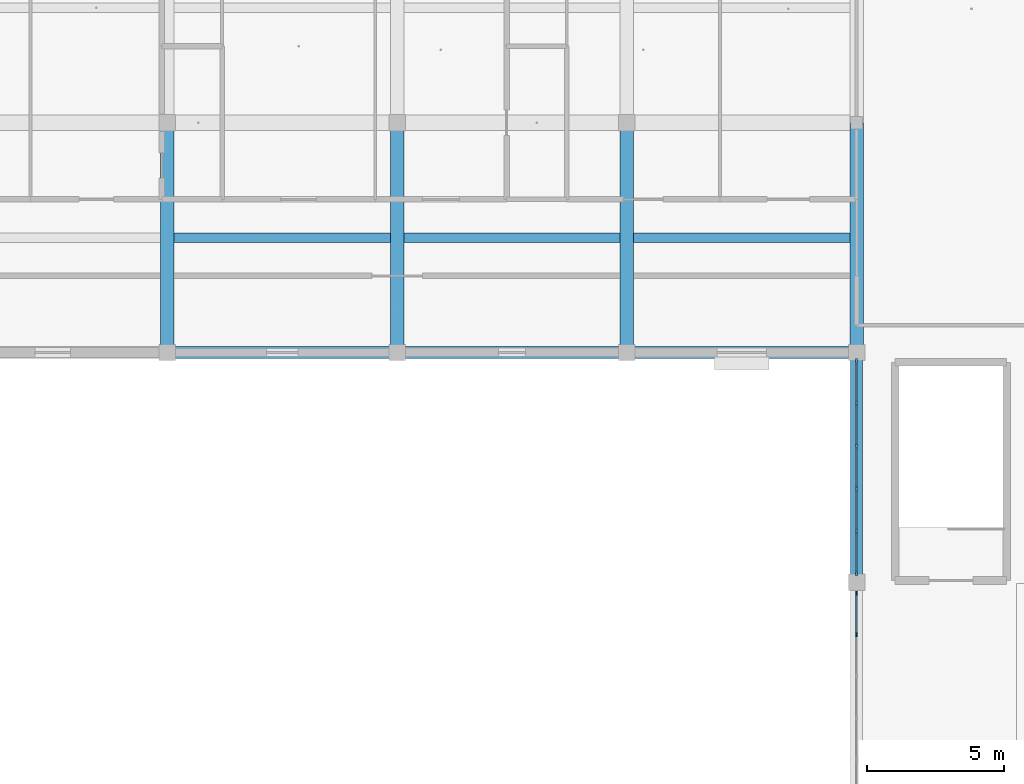
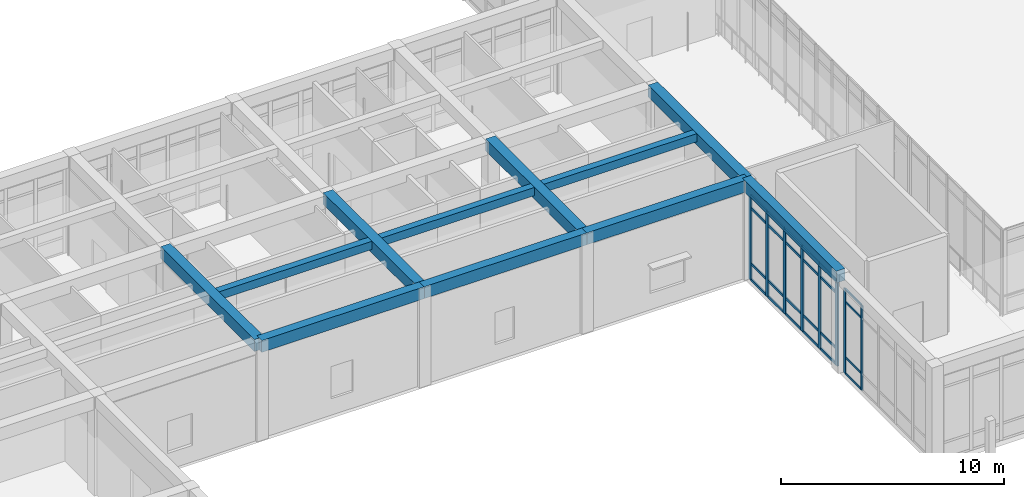
# One storey, part 9 of 157: 32 members, 11 beams, 2 elements without a shape of their own.
"""IFC4 building model written with IfcOpenShell, lengths in metres."""

from ifc_helpers import new_model, si_unit, direction, frame, origin, origin_2d, place, context, subcontext, project, spatial, rectangle, extrude, material, material_profile, profile_set, type_object, element, aggregate, save


model = new_model("IFC4")

# Units and contexts
model_context = context("Model", 3, precision=1e-05, world=origin(), true_north=direction((0.0, 1.0)))
body_context = subcontext(model_context, "Body", "Model", "MODEL_VIEW")
ifc_project = project(units=[si_unit("LENGTHUNIT", "METRE"), si_unit("AREAUNIT", "SQUARE_METRE"), si_unit("VOLUMEUNIT", "CUBIC_METRE"), si_unit("PLANEANGLEUNIT", "RADIAN"), si_unit("MASSUNIT", "GRAM", prefix="KILO")], contexts=[model_context])

# Site, building, storey
site_placement = place(None, origin())
site = spatial("IfcSite", under=ifc_project, at=site_placement, CompositionType="ELEMENT")
building_placement = place(site_placement, origin())
building = spatial("IfcBuilding", under=site, at=building_placement, Name="Varncliffe General Hospital", CompositionType="ELEMENT")
storey_placement = place(building_placement, frame((0.0, 0.0, 5.39990234375)))
storey = spatial("IfcBuildingStorey", under=building, at=storey_placement, Name="L01", CompositionType="ELEMENT", Elevation=5.39990234375)

# Beams
ifc_material_1 = material(Name="Concrete C35/45 (CSA A23.1 35 MPa)", Category="concrete")
ifc_material_profile_1 = material_profile(ifc_material_1, rectangle(XDim=0.5, YDim=0.64990234375, at=origin_2d()), Name="RC 500x650")
ifc_profile_set_1 = profile_set([ifc_material_profile_1], Name="Concrete C35/45 (CSA A23.1 35 MPa)")
beam_type_1 = type_object("IfcBeamType", Name="Beam B29 (Int RC 500x650)", PredefinedType="BEAM", material=ifc_profile_set_1)
for number, where, z_axis, x_axis, name in (
    (1, (33.60009765625, 24.0, 5.0751953125), (0.0, 1.0, 0.0), (-1.0, 0.0, 0.0), "L01 Primary Beam B29-326"),
    (2, (42.0, 24.0, 5.0751953125), (0.0, 1.0, 0.0), (-1.0, 0.0, 0.0), "L01 Primary Beam B29-335"),
    (3, (50.39990234375, 24.0, 5.0751953125), (0.0, 1.0, 0.0), (-1.0, 0.0, 0.0), "L01 Primary Beam B29-344"),
    (4, (58.800048828125, 24.0, 5.0751953125), (0.0, 1.0, 0.0), (-1.0, 0.0, 0.0), "L01 Primary Beam B29-355"),
):
    element("IfcBeam", number, at=place(storey_placement, frame(where, z_axis=z_axis, x_axis=x_axis)), inside=storey, type_object=beam_type_1, Name=name, PredefinedType="BEAM", context=body_context, shape_type="SweptSolid", body=[
        extrude(rectangle(XDim=0.5, YDim=0.64990234375, at=origin_2d()), origin(), (0.0, 0.0, 1.0), 8.39990234375),
    ])

# Curtain wall, members
ifc_material_2 = material(Name="Triple low-E argon insulated vision glazing", Category="glass")
curtain_wall_type_1 = type_object("IfcCurtainWallType", Name="Unitised Glazed Curtain Wall CW27 (7644x4640)", PredefinedType="USERDEFINED", material=ifc_material_2)
curtain_wall_1_placement = place(storey_placement, origin())
curtain_wall_1 = element("IfcCurtainWall", 5, at=curtain_wall_1_placement, inside=storey, type_object=curtain_wall_type_1, Name="L01 Glazed Curtain Wall CW27-53", ObjectType="GLAZED CURTAIN WALL", PredefinedType="USERDEFINED")
ifc_material_3 = material(Name="Dark bronze thermally broken aluminium framing", Category="aluminium")
ifc_material_profile_2 = material_profile(ifc_material_3, rectangle(XDim=0.06494140625, YDim=0.159912109375, at=origin_2d()), Name="ALU 65x160")
ifc_profile_set_2 = profile_set([ifc_material_profile_2], Name="Dark bronze thermally broken aluminium framing")
member_type_1 = type_object("IfcMemberType", Name="Curtain Wall Mullion CM65 (ALU 65x160)", PredefinedType="MULLION", material=ifc_profile_set_2)
member_1_placement = place(storey_placement, frame((58.800048828125, 13.693115234375, 0.0), z_axis=(0.0, 0.0, 1.0), x_axis=(-1.0, 0.0, 0.0)))
member_1 = element("IfcMember", 6, at=member_1_placement, type_object=member_type_1, Name="CW27 mullion 5", PredefinedType="MULLION", context=body_context, shape_type="SweptSolid", body=[
    extrude(rectangle(XDim=0.06494140625, YDim=0.159912109375, at=origin_2d()), origin(), (0.0, 0.0, 1.0), 4.64013671875),
])
member_2_placement = place(storey_placement, frame((58.800048828125, 15.189453125, 0.0), z_axis=(0.0, 0.0, 1.0), x_axis=(-1.0, 0.0, 0.0)))
member_2 = element("IfcMember", 7, at=member_2_placement, type_object=member_type_1, Name="CW27 mullion 6", PredefinedType="MULLION", context=body_context, shape_type="SweptSolid", body=[
    extrude(rectangle(XDim=0.06494140625, YDim=0.159912109375, at=origin_2d()), origin(), (0.0, 0.0, 1.0), 4.64013671875),
])

curtain_wall_type_2 = type_object("IfcCurtainWallType", Name="Unitised Glazed Curtain Wall CW85 (7804x4640)", PredefinedType="USERDEFINED", material=ifc_material_2)
curtain_wall_2_placement = place(storey_placement, origin())
curtain_wall_2 = element("IfcCurtainWall", 8, at=curtain_wall_2_placement, inside=storey, type_object=curtain_wall_type_2, Name="L01 Glazed Curtain Wall CW85-54", ObjectType="GLAZED CURTAIN WALL", PredefinedType="USERDEFINED")
ifc_material_profile_3 = material_profile(ifc_material_3, rectangle(XDim=0.074951171875, YDim=0.219970703125, at=origin_2d()), Name="ALU 75x220")
ifc_profile_set_3 = profile_set([ifc_material_profile_3], Name="Dark bronze thermally broken aluminium framing")
member_type_2 = type_object("IfcMemberType", Name="Curtain Wall Mullion CM74 (ALU 75x220)", PredefinedType="MULLION", material=ifc_profile_set_3)
member_3_placement = place(storey_placement, frame((58.800048828125, 15.935546875, 0.0), z_axis=(0.0, 0.0, 1.0), x_axis=(-1.0, 0.0, 0.0)))
member_3 = element("IfcMember", 9, at=member_3_placement, type_object=member_type_2, Name="CW85 mullion 1", PredefinedType="MULLION", context=body_context, shape_type="SweptSolid", body=[
    extrude(rectangle(XDim=0.074951171875, YDim=0.219970703125, at=origin_2d()), origin(), (0.0, 0.0, 1.0), 4.64013671875),
])
member_4_placement = place(storey_placement, frame((58.800048828125, 17.458740234375, 0.0), z_axis=(0.0, 0.0, 1.0), x_axis=(-1.0, 0.0, 0.0)))
member_4 = element("IfcMember", 10, at=member_4_placement, type_object=member_type_2, Name="CW85 mullion 2", PredefinedType="MULLION", context=body_context, shape_type="SweptSolid", body=[
    extrude(rectangle(XDim=0.074951171875, YDim=0.219970703125, at=origin_2d()), origin(), (0.0, 0.0, 1.0), 4.64013671875),
])
member_5_placement = place(storey_placement, frame((58.800048828125, 19.01953125, 0.0), z_axis=(0.0, 0.0, 1.0), x_axis=(-1.0, 0.0, 0.0)))
member_5 = element("IfcMember", 11, at=member_5_placement, type_object=member_type_2, Name="CW85 mullion 3", PredefinedType="MULLION", context=body_context, shape_type="SweptSolid", body=[
    extrude(rectangle(XDim=0.074951171875, YDim=0.219970703125, at=origin_2d()), origin(), (0.0, 0.0, 1.0), 4.64013671875),
])
member_6_placement = place(storey_placement, frame((58.800048828125, 20.580322265625, 0.0), z_axis=(0.0, 0.0, 1.0), x_axis=(-1.0, 0.0, 0.0)))
member_6 = element("IfcMember", 12, at=member_6_placement, type_object=member_type_2, Name="CW85 mullion 4", PredefinedType="MULLION", context=body_context, shape_type="SweptSolid", body=[
    extrude(rectangle(XDim=0.074951171875, YDim=0.219970703125, at=origin_2d()), origin(), (0.0, 0.0, 1.0), 4.64013671875),
])
member_7_placement = place(storey_placement, frame((58.800048828125, 22.14111328125, 0.0), z_axis=(0.0, 0.0, 1.0), x_axis=(-1.0, 0.0, 0.0)))
member_7 = element("IfcMember", 13, at=member_7_placement, type_object=member_type_2, Name="CW85 mullion 5", PredefinedType="MULLION", context=body_context, shape_type="SweptSolid", body=[
    extrude(rectangle(XDim=0.074951171875, YDim=0.219970703125, at=origin_2d()), origin(), (0.0, 0.0, 1.0), 4.64013671875),
])
member_8_placement = place(storey_placement, frame((58.800048828125, 23.66455078125, 0.0), z_axis=(0.0, 0.0, 1.0), x_axis=(-1.0, 0.0, 0.0)))
member_8 = element("IfcMember", 14, at=member_8_placement, type_object=member_type_2, Name="CW85 mullion 6", PredefinedType="MULLION", context=body_context, shape_type="SweptSolid", body=[
    extrude(rectangle(XDim=0.074951171875, YDim=0.219970703125, at=origin_2d()), origin(), (0.0, 0.0, 1.0), 4.64013671875),
])

# Member
ifc_material_profile_4 = material_profile(ifc_material_3, rectangle(XDim=0.06005859375, YDim=0.10009765625, at=origin_2d()), Name="ALU 60x100")
ifc_profile_set_4 = profile_set([ifc_material_profile_4], Name="Dark bronze thermally broken aluminium framing")
member_type_3 = type_object("IfcMemberType", Name="Curtain Wall Transom CT18 (ALU 60x100)", PredefinedType="USERDEFINED", material=ifc_profile_set_4)
member_9_placement = place(storey_placement, frame((58.800048828125, 13.7255859375, 0.030029296875), z_axis=(0.0, 1.0, 0.0), x_axis=(-1.0, 0.0, 0.0)))
member_9 = element("IfcMember", 15, at=member_9_placement, type_object=member_type_3, Name="CW27 transom 5.1", ObjectType="TRANSOM", PredefinedType="USERDEFINED", context=body_context, shape_type="SweptSolid", body=[
    extrude(rectangle(XDim=0.06005859375, YDim=0.10009765625, at=origin_2d()), origin(), (0.0, 0.0, 1.0), 1.431396484375),
])

member_10_placement = place(storey_placement, frame((58.800048828125, 13.7255859375, 0.900146484375), z_axis=(0.0, 1.0, 0.0), x_axis=(-1.0, 0.0, 0.0)))
member_10 = element("IfcMember", 16, at=member_10_placement, type_object=member_type_3, Name="CW27 transom 5.2", ObjectType="TRANSOM", PredefinedType="USERDEFINED", context=body_context, shape_type="SweptSolid", body=[
    extrude(rectangle(XDim=0.06005859375, YDim=0.10009765625, at=origin_2d()), origin(), (0.0, 0.0, 1.0), 1.431396484375),
])

member_11_placement = place(storey_placement, frame((58.800048828125, 13.7255859375, 3.940185546875), z_axis=(0.0, 1.0, 0.0), x_axis=(-1.0, 0.0, 0.0)))
member_11 = element("IfcMember", 17, at=member_11_placement, type_object=member_type_3, Name="CW27 transom 5.3", ObjectType="TRANSOM", PredefinedType="USERDEFINED", context=body_context, shape_type="SweptSolid", body=[
    extrude(rectangle(XDim=0.06005859375, YDim=0.10009765625, at=origin_2d()), origin(), (0.0, 0.0, 1.0), 1.431396484375),
])

member_12_placement = place(storey_placement, frame((58.800048828125, 13.7255859375, 4.610107421875), z_axis=(0.0, 1.0, 0.0), x_axis=(-1.0, 0.0, 0.0)))
member_12 = element("IfcMember", 18, at=member_12_placement, type_object=member_type_3, Name="CW27 transom 5.4", ObjectType="TRANSOM", PredefinedType="USERDEFINED", context=body_context, shape_type="SweptSolid", body=[
    extrude(rectangle(XDim=0.06005859375, YDim=0.10009765625, at=origin_2d()), origin(), (0.0, 0.0, 1.0), 1.431396484375),
])

aggregate(curtain_wall_1, [member_1, member_2, member_9, member_10, member_11, member_12])

ifc_material_profile_5 = material_profile(ifc_material_3, rectangle(XDim=0.06494140625, YDim=0.139892578125, at=origin_2d()), Name="ALU 65x140")
ifc_profile_set_5 = profile_set([ifc_material_profile_5], Name="Dark bronze thermally broken aluminium framing")
member_type_4 = type_object("IfcMemberType", Name="Curtain Wall Transom CT69 (ALU 65x140)", PredefinedType="USERDEFINED", material=ifc_profile_set_5)
member_13_placement = place(storey_placement, frame((58.800048828125, 15.972900390625, 0.03271484375), z_axis=(0.0, 1.0, 0.0), x_axis=(-1.0, 0.0, 0.0)))
member_13 = element("IfcMember", 19, at=member_13_placement, type_object=member_type_4, Name="CW85 transom 1.1", ObjectType="TRANSOM", PredefinedType="USERDEFINED", context=body_context, shape_type="SweptSolid", body=[
    extrude(rectangle(XDim=0.06494140625, YDim=0.139892578125, at=origin_2d()), origin(), (0.0, 0.0, 1.0), 1.448486328125),
])

member_14_placement = place(storey_placement, frame((58.800048828125, 15.972900390625, 0.900146484375), z_axis=(0.0, 1.0, 0.0), x_axis=(-1.0, 0.0, 0.0)))
member_14 = element("IfcMember", 20, at=member_14_placement, type_object=member_type_4, Name="CW85 transom 1.2", ObjectType="TRANSOM", PredefinedType="USERDEFINED", context=body_context, shape_type="SweptSolid", body=[
    extrude(rectangle(XDim=0.06494140625, YDim=0.139892578125, at=origin_2d()), origin(), (0.0, 0.0, 1.0), 1.448486328125),
])

member_15_placement = place(storey_placement, frame((58.800048828125, 15.972900390625, 3.940185546875), z_axis=(0.0, 1.0, 0.0), x_axis=(-1.0, 0.0, 0.0)))
member_15 = element("IfcMember", 21, at=member_15_placement, type_object=member_type_4, Name="CW85 transom 1.3", ObjectType="TRANSOM", PredefinedType="USERDEFINED", context=body_context, shape_type="SweptSolid", body=[
    extrude(rectangle(XDim=0.06494140625, YDim=0.139892578125, at=origin_2d()), origin(), (0.0, 0.0, 1.0), 1.448486328125),
])

member_16_placement = place(storey_placement, frame((58.800048828125, 15.972900390625, 4.607666015625), z_axis=(0.0, 1.0, 0.0), x_axis=(-1.0, 0.0, 0.0)))
member_16 = element("IfcMember", 22, at=member_16_placement, type_object=member_type_4, Name="CW85 transom 1.4", ObjectType="TRANSOM", PredefinedType="USERDEFINED", context=body_context, shape_type="SweptSolid", body=[
    extrude(rectangle(XDim=0.06494140625, YDim=0.139892578125, at=origin_2d()), origin(), (0.0, 0.0, 1.0), 1.448486328125),
])

member_17_placement = place(storey_placement, frame((58.800048828125, 17.496337890625, 0.03271484375), z_axis=(0.0, 1.0, 0.0), x_axis=(-1.0, 0.0, 0.0)))
member_17 = element("IfcMember", 23, at=member_17_placement, type_object=member_type_4, Name="CW85 transom 2.1", ObjectType="TRANSOM", PredefinedType="USERDEFINED", context=body_context, shape_type="SweptSolid", body=[
    extrude(rectangle(XDim=0.06494140625, YDim=0.139892578125, at=origin_2d()), origin(), (0.0, 0.0, 1.0), 1.48583984375),
])

member_18_placement = place(storey_placement, frame((58.800048828125, 17.496337890625, 0.900146484375), z_axis=(0.0, 1.0, 0.0), x_axis=(-1.0, 0.0, 0.0)))
member_18 = element("IfcMember", 24, at=member_18_placement, type_object=member_type_4, Name="CW85 transom 2.2", ObjectType="TRANSOM", PredefinedType="USERDEFINED", context=body_context, shape_type="SweptSolid", body=[
    extrude(rectangle(XDim=0.06494140625, YDim=0.139892578125, at=origin_2d()), origin(), (0.0, 0.0, 1.0), 1.48583984375),
])

member_19_placement = place(storey_placement, frame((58.800048828125, 17.496337890625, 3.940185546875), z_axis=(0.0, 1.0, 0.0), x_axis=(-1.0, 0.0, 0.0)))
member_19 = element("IfcMember", 25, at=member_19_placement, type_object=member_type_4, Name="CW85 transom 2.3", ObjectType="TRANSOM", PredefinedType="USERDEFINED", context=body_context, shape_type="SweptSolid", body=[
    extrude(rectangle(XDim=0.06494140625, YDim=0.139892578125, at=origin_2d()), origin(), (0.0, 0.0, 1.0), 1.48583984375),
])

member_20_placement = place(storey_placement, frame((58.800048828125, 17.496337890625, 4.607666015625), z_axis=(0.0, 1.0, 0.0), x_axis=(-1.0, 0.0, 0.0)))
member_20 = element("IfcMember", 26, at=member_20_placement, type_object=member_type_4, Name="CW85 transom 2.4", ObjectType="TRANSOM", PredefinedType="USERDEFINED", context=body_context, shape_type="SweptSolid", body=[
    extrude(rectangle(XDim=0.06494140625, YDim=0.139892578125, at=origin_2d()), origin(), (0.0, 0.0, 1.0), 1.48583984375),
])

member_21_placement = place(storey_placement, frame((58.800048828125, 19.05712890625, 0.03271484375), z_axis=(0.0, 1.0, 0.0), x_axis=(-1.0, 0.0, 0.0)))
member_21 = element("IfcMember", 27, at=member_21_placement, type_object=member_type_4, Name="CW85 transom 3.1", ObjectType="TRANSOM", PredefinedType="USERDEFINED", context=body_context, shape_type="SweptSolid", body=[
    extrude(rectangle(XDim=0.06494140625, YDim=0.139892578125, at=origin_2d()), origin(), (0.0, 0.0, 1.0), 1.48583984375),
])

member_22_placement = place(storey_placement, frame((58.800048828125, 19.05712890625, 0.900146484375), z_axis=(0.0, 1.0, 0.0), x_axis=(-1.0, 0.0, 0.0)))
member_22 = element("IfcMember", 28, at=member_22_placement, type_object=member_type_4, Name="CW85 transom 3.2", ObjectType="TRANSOM", PredefinedType="USERDEFINED", context=body_context, shape_type="SweptSolid", body=[
    extrude(rectangle(XDim=0.06494140625, YDim=0.139892578125, at=origin_2d()), origin(), (0.0, 0.0, 1.0), 1.48583984375),
])

member_23_placement = place(storey_placement, frame((58.800048828125, 19.05712890625, 3.940185546875), z_axis=(0.0, 1.0, 0.0), x_axis=(-1.0, 0.0, 0.0)))
member_23 = element("IfcMember", 29, at=member_23_placement, type_object=member_type_4, Name="CW85 transom 3.3", ObjectType="TRANSOM", PredefinedType="USERDEFINED", context=body_context, shape_type="SweptSolid", body=[
    extrude(rectangle(XDim=0.06494140625, YDim=0.139892578125, at=origin_2d()), origin(), (0.0, 0.0, 1.0), 1.48583984375),
])

member_24_placement = place(storey_placement, frame((58.800048828125, 19.05712890625, 4.607666015625), z_axis=(0.0, 1.0, 0.0), x_axis=(-1.0, 0.0, 0.0)))
member_24 = element("IfcMember", 30, at=member_24_placement, type_object=member_type_4, Name="CW85 transom 3.4", ObjectType="TRANSOM", PredefinedType="USERDEFINED", context=body_context, shape_type="SweptSolid", body=[
    extrude(rectangle(XDim=0.06494140625, YDim=0.139892578125, at=origin_2d()), origin(), (0.0, 0.0, 1.0), 1.48583984375),
])

member_25_placement = place(storey_placement, frame((58.800048828125, 20.617919921875, 0.03271484375), z_axis=(0.0, 1.0, 0.0), x_axis=(-1.0, 0.0, 0.0)))
member_25 = element("IfcMember", 31, at=member_25_placement, type_object=member_type_4, Name="CW85 transom 4.1", ObjectType="TRANSOM", PredefinedType="USERDEFINED", context=body_context, shape_type="SweptSolid", body=[
    extrude(rectangle(XDim=0.06494140625, YDim=0.139892578125, at=origin_2d()), origin(), (0.0, 0.0, 1.0), 1.48583984375),
])

member_26_placement = place(storey_placement, frame((58.800048828125, 20.617919921875, 0.900146484375), z_axis=(0.0, 1.0, 0.0), x_axis=(-1.0, 0.0, 0.0)))
member_26 = element("IfcMember", 32, at=member_26_placement, type_object=member_type_4, Name="CW85 transom 4.2", ObjectType="TRANSOM", PredefinedType="USERDEFINED", context=body_context, shape_type="SweptSolid", body=[
    extrude(rectangle(XDim=0.06494140625, YDim=0.139892578125, at=origin_2d()), origin(), (0.0, 0.0, 1.0), 1.48583984375),
])

member_27_placement = place(storey_placement, frame((58.800048828125, 20.617919921875, 3.940185546875), z_axis=(0.0, 1.0, 0.0), x_axis=(-1.0, 0.0, 0.0)))
member_27 = element("IfcMember", 33, at=member_27_placement, type_object=member_type_4, Name="CW85 transom 4.3", ObjectType="TRANSOM", PredefinedType="USERDEFINED", context=body_context, shape_type="SweptSolid", body=[
    extrude(rectangle(XDim=0.06494140625, YDim=0.139892578125, at=origin_2d()), origin(), (0.0, 0.0, 1.0), 1.48583984375),
])

member_28_placement = place(storey_placement, frame((58.800048828125, 20.617919921875, 4.607666015625), z_axis=(0.0, 1.0, 0.0), x_axis=(-1.0, 0.0, 0.0)))
member_28 = element("IfcMember", 34, at=member_28_placement, type_object=member_type_4, Name="CW85 transom 4.4", ObjectType="TRANSOM", PredefinedType="USERDEFINED", context=body_context, shape_type="SweptSolid", body=[
    extrude(rectangle(XDim=0.06494140625, YDim=0.139892578125, at=origin_2d()), origin(), (0.0, 0.0, 1.0), 1.48583984375),
])

member_29_placement = place(storey_placement, frame((58.800048828125, 22.1787109375, 0.03271484375), z_axis=(0.0, 1.0, 0.0), x_axis=(-1.0, 0.0, 0.0)))
member_29 = element("IfcMember", 35, at=member_29_placement, type_object=member_type_4, Name="CW85 transom 5.1", ObjectType="TRANSOM", PredefinedType="USERDEFINED", context=body_context, shape_type="SweptSolid", body=[
    extrude(rectangle(XDim=0.06494140625, YDim=0.139892578125, at=origin_2d()), origin(), (0.0, 0.0, 1.0), 1.4482421875),
])

member_30_placement = place(storey_placement, frame((58.800048828125, 22.1787109375, 0.900146484375), z_axis=(0.0, 1.0, 0.0), x_axis=(-1.0, 0.0, 0.0)))
member_30 = element("IfcMember", 36, at=member_30_placement, type_object=member_type_4, Name="CW85 transom 5.2", ObjectType="TRANSOM", PredefinedType="USERDEFINED", context=body_context, shape_type="SweptSolid", body=[
    extrude(rectangle(XDim=0.06494140625, YDim=0.139892578125, at=origin_2d()), origin(), (0.0, 0.0, 1.0), 1.4482421875),
])

member_31_placement = place(storey_placement, frame((58.800048828125, 22.1787109375, 3.940185546875), z_axis=(0.0, 1.0, 0.0), x_axis=(-1.0, 0.0, 0.0)))
member_31 = element("IfcMember", 37, at=member_31_placement, type_object=member_type_4, Name="CW85 transom 5.3", ObjectType="TRANSOM", PredefinedType="USERDEFINED", context=body_context, shape_type="SweptSolid", body=[
    extrude(rectangle(XDim=0.06494140625, YDim=0.139892578125, at=origin_2d()), origin(), (0.0, 0.0, 1.0), 1.4482421875),
])

member_32_placement = place(storey_placement, frame((58.800048828125, 22.1787109375, 4.607666015625), z_axis=(0.0, 1.0, 0.0), x_axis=(-1.0, 0.0, 0.0)))
member_32 = element("IfcMember", 38, at=member_32_placement, type_object=member_type_4, Name="CW85 transom 5.4", ObjectType="TRANSOM", PredefinedType="USERDEFINED", context=body_context, shape_type="SweptSolid", body=[
    extrude(rectangle(XDim=0.06494140625, YDim=0.139892578125, at=origin_2d()), origin(), (0.0, 0.0, 1.0), 1.4482421875),
])

aggregate(curtain_wall_2, [member_3, member_4, member_5, member_6, member_7, member_8, member_13, member_14, member_15, member_16, member_17, member_18, member_19, member_20, member_21, member_22, member_23, member_24, member_25, member_26, member_27, member_28, member_29, member_30, member_31, member_32])

# Beams
ifc_material_profile_6 = material_profile(ifc_material_1, rectangle(XDim=0.35009765625, YDim=0.449951171875, at=origin_2d()), Name="RC 350x450")
ifc_profile_set_6 = profile_set([ifc_material_profile_6], Name="Concrete C35/45 (CSA A23.1 35 MPa)")
beam_type_2 = type_object("IfcBeamType", Name="Joist J55 (Int RC 350x450)", PredefinedType="JOIST", material=ifc_profile_set_6)
for number, where, z_axis, x_axis, name in (
    (39, (33.847900390625, 28.199951171875, 5.175048828125), (1.0, 0.0, 0.0), (0.0, 1.0, 0.0), "L01 Secondary Floor Rib J55-19"),
    (40, (42.248046875, 28.199951171875, 5.175048828125), (1.0, 0.0, 0.0), (0.0, 1.0, 0.0), "L01 Secondary Floor Rib J55-22"),
    (41, (50.64794921875, 28.199951171875, 5.175048828125), (1.0, 0.0, 0.0), (0.0, 1.0, 0.0), "L01 Secondary Floor Rib J55-26"),
):
    element("IfcBeam", number, at=place(storey_placement, frame(where, z_axis=z_axis, x_axis=x_axis)), inside=storey, type_object=beam_type_2, Name=name, PredefinedType="JOIST", context=body_context, shape_type="SweptSolid", body=[
        extrude(rectangle(XDim=0.35009765625, YDim=0.449951171875, at=origin_2d()), origin(), (0.0, 0.0, 1.0), 7.904052734375),
    ])
ifc_material_profile_7 = material_profile(ifc_material_1, rectangle(XDim=0.449951171875, YDim=0.64990234375, at=origin_2d()), Name="RC 450x650")
ifc_profile_set_7 = profile_set([ifc_material_profile_7], Name="Concrete C35/45 (CSA A23.1 35 MPa)")
beam_type_3 = type_object("IfcBeamType", Name="Spandrel SP38 (Ext RC 450x650B)", PredefinedType="SPANDREL", material=ifc_profile_set_7)
for number, where, z_axis, x_axis, name in (
    (42, (33.60009765625, 24.0, 5.0751953125), (1.0, 0.0, 0.0), (0.0, 1.0, 0.0), "L01 Spandrel Beam SP38-30"),
    (43, (42.0, 24.0, 5.0751953125), (1.0, 0.0, 0.0), (0.0, 1.0, 0.0), "L01 Spandrel Beam SP38-31"),
):
    element("IfcBeam", number, at=place(storey_placement, frame(where, z_axis=z_axis, x_axis=x_axis)), inside=storey, type_object=beam_type_3, Name=name, PredefinedType="SPANDREL", context=body_context, shape_type="SweptSolid", body=[
        extrude(rectangle(XDim=0.449951171875, YDim=0.64990234375, at=origin_2d()), origin(), (0.0, 0.0, 1.0), 8.39990234375),
    ])
beam_1_placement = place(storey_placement, frame((50.39990234375, 24.0, 5.0751953125), z_axis=(1.0, 0.0, 0.0), x_axis=(0.0, 1.0, 0.0)))
element("IfcBeam", 44, at=beam_1_placement, inside=storey, type_object=beam_type_3, Name="L01 Spandrel Beam SP38-32", PredefinedType="SPANDREL", context=body_context, shape_type="SweptSolid", body=[
    extrude(rectangle(XDim=0.449951171875, YDim=0.64990234375, at=origin_2d()), origin(), (0.0, 0.0, 1.0), 8.400146484375),
])
beam_2_placement = place(storey_placement, frame((58.800048828125, 15.60009765625, 5.0751953125), z_axis=(0.0, 1.0, 0.0), x_axis=(-1.0, 0.0, 0.0)))
element("IfcBeam", 45, at=beam_2_placement, inside=storey, type_object=beam_type_3, Name="L01 Spandrel Beam SP38-354", PredefinedType="SPANDREL", context=body_context, shape_type="SweptSolid", body=[
    extrude(rectangle(XDim=0.449951171875, YDim=0.64990234375, at=origin_2d()), origin(), (0.0, 0.0, 1.0), 8.39990234375),
])

save(model, "model.ifc")
